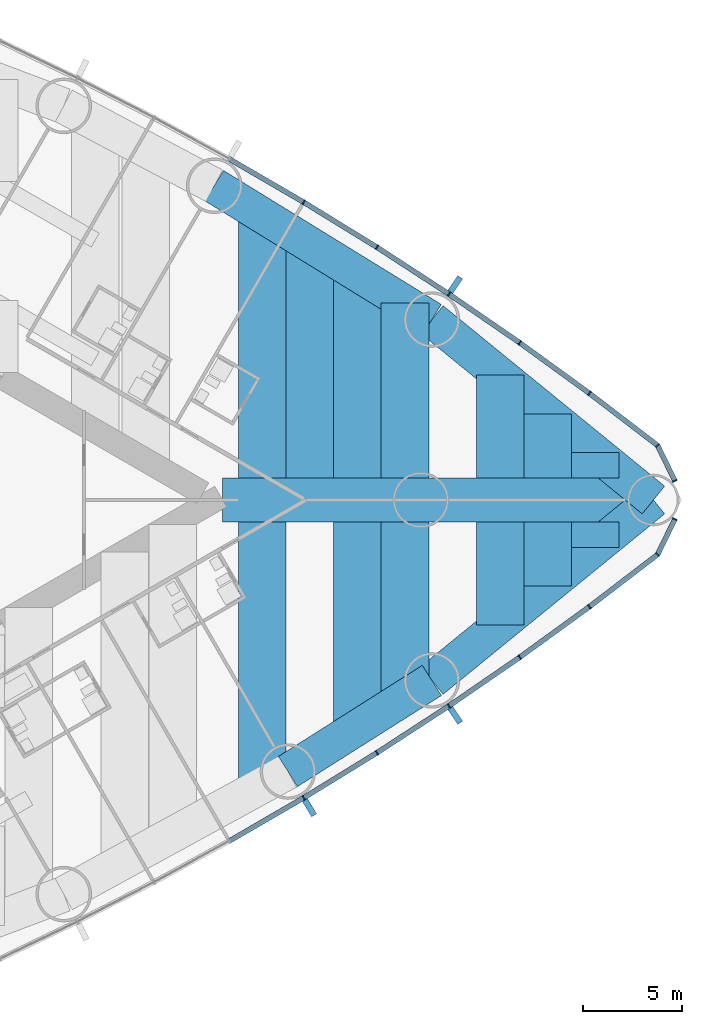
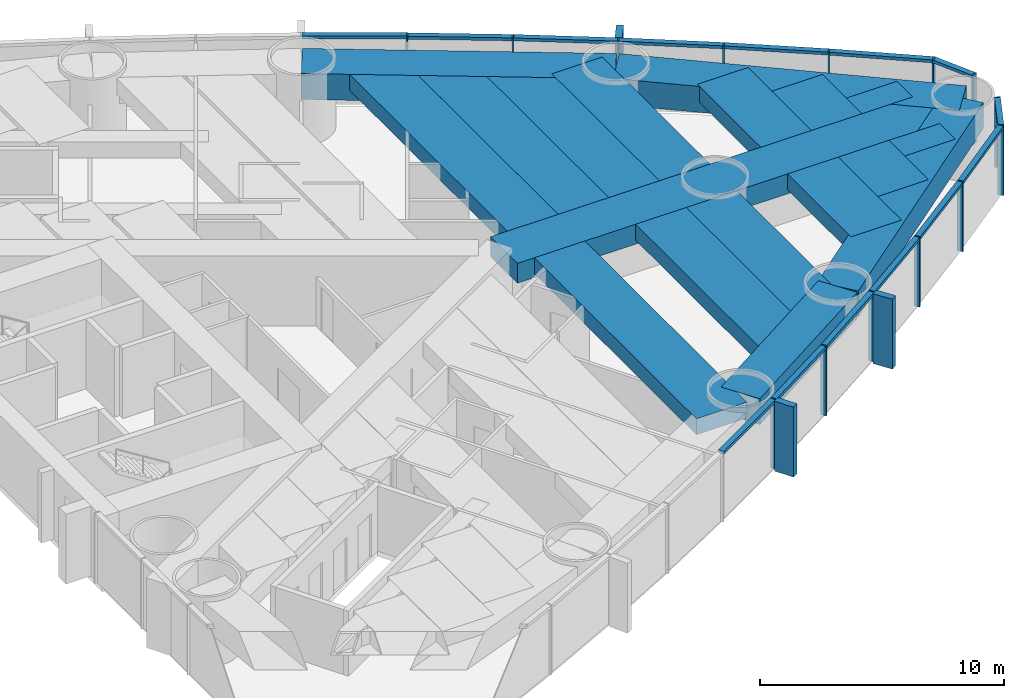
# One storey, part 8 of 19: 31 members, 18 beams, 2 elements without a shape of their own.
"""IFC4 building model written with IfcOpenShell, lengths in metres."""

import ifcopenshell
import ifcopenshell.guid

model = None  # the IFC model being written
_history = None  # IfcOwnerHistory: only IFC2X3 demands one
_inside = {}  # id of a spatial element -> (the spatial element, [elements in it])
_under = {}  # id of a project, library or spatial element -> (it, [spatial elements below it])
_declared = {}  # id of a project -> (the project, [libraries it declares])
_typed = {}  # id of a type object -> (the type object, [elements of that type])
_made_of = {}  # id of a material, layer set ... -> (it, [elements and type objects made of it])


def new_model(schema):
    """Start an empty IFC model of exactly this schema.

    Asked for "IFC4X3", IfcOpenShell would pick the latest addendum, in which some entities
    have other attributes; the version numbers below select the first issue.
    IFC2X3 requires an IfcOwnerHistory on every rooted entity: one is made here for all.
    """
    global model, _history
    if schema == "IFC4X3":
        model = ifcopenshell.file(schema_version=(4, 3, 0, 0))
    else:
        model = ifcopenshell.file(schema=schema)
    _inside.clear()
    _under.clear()
    _declared.clear()
    _typed.clear()
    _made_of.clear()
    _history = None
    if model.schema == "IFC2X3":
        org = make("IfcOrganization", Name="unknown")
        user = make(
            "IfcPersonAndOrganization",
            ThePerson=make("IfcPerson", FamilyName="unknown"),
            TheOrganization=org,
        )
        app = make(
            "IfcApplication",
            ApplicationDeveloper=org,
            Version="unknown",
            ApplicationFullName="unknown",
            ApplicationIdentifier="unknown",
        )
        _history = make(
            "IfcOwnerHistory",
            OwningUser=user,
            OwningApplication=app,
            ChangeAction="ADDED",
            CreationDate=0,
        )
    return model


def make(cls, **values):
    """One entity of the class cls with the attributes given. An attribute that is None is left unset."""
    return model.create_entity(
        cls, **{name: value for name, value in values.items() if value is not None}
    )


def rooted(cls, **values):
    """An entity with a GlobalId (a new one), such as an element, a storey or a relation."""
    return make(cls, GlobalId=ifcopenshell.guid.new(), OwnerHistory=_history, **values)


def si_unit(unit_type, name, prefix=None):
    """IfcSIUnit, for example si_unit("LENGTHUNIT", "METRE", prefix="MILLI")."""
    return make("IfcSIUnit", UnitType=unit_type, Prefix=prefix, Name=name)


def assignment(units):
    """IfcUnitAssignment: the units of a project."""
    return None if units is None else make("IfcUnitAssignment", Units=units)


def point(xyz):
    """IfcCartesianPoint."""
    return None if xyz is None else make("IfcCartesianPoint", Coordinates=xyz)


def direction(xyz):
    """IfcDirection."""
    return None if xyz is None else make("IfcDirection", DirectionRatios=xyz)


def frame(location, z_axis=None, x_axis=None):
    """IfcAxis2Placement3D, a coordinate frame: its origin and axes. An axis left out is left unset."""
    return make(
        "IfcAxis2Placement3D",
        Location=point(location),
        Axis=direction(z_axis),
        RefDirection=direction(x_axis),
    )


def frame_2d(location, x_axis=None):
    """IfcAxis2Placement2D, a coordinate frame in the plane: its origin and x axis."""
    return make(
        "IfcAxis2Placement2D", Location=point(location), RefDirection=direction(x_axis)
    )


def origin():
    """The frame at (0, 0, 0) with its axes left unset."""
    return frame((0.0, 0.0, 0.0))


def origin_2d():
    """The frame at (0, 0) in the plane with its x axis left unset."""
    return frame_2d((0.0, 0.0))


def place(relative_to, where):
    """IfcLocalPlacement: puts the frame where relative to a parent placement (None: the world)."""
    return make(
        "IfcLocalPlacement", PlacementRelTo=relative_to, RelativePlacement=where
    )


def context(
    kind, dimensions, precision=None, world=None, true_north=None, identifier=None
):
    """IfcGeometricRepresentationContext, for example the 3D "Model" context."""
    return make(
        "IfcGeometricRepresentationContext",
        ContextIdentifier=identifier,
        ContextType=kind,
        CoordinateSpaceDimension=dimensions,
        Precision=precision,
        WorldCoordinateSystem=world,
        TrueNorth=true_north,
    )


def subcontext(parent, identifier, kind, view, scale=None):
    """IfcGeometricRepresentationSubContext, for example "Body" below "Model"."""
    return make(
        "IfcGeometricRepresentationSubContext",
        ContextIdentifier=identifier,
        ContextType=kind,
        ParentContext=parent,
        TargetScale=scale,
        TargetView=view,
    )


def project(units=None, contexts=None):
    """IfcProject with its units and contexts."""
    return rooted(
        "IfcProject",
        Name="project",
        RepresentationContexts=contexts,
        UnitsInContext=assignment(units),
    )


def spatial(cls, under=None, at=None, **own):
    """A site, building, storey or space (cls), placed at a placement, below another one or the project."""
    s = rooted(cls, ObjectPlacement=at, **own)
    if under is not None:
        _under.setdefault(under.id(), (under, []))[1].append(s)
    return s


def profile(cls, at=None, kind="AREA", **sizes):
    """A parametric profile (cls). Its sizes go by their IFC names, for example OverallWidth=200.0."""
    return make(cls, ProfileType=kind, Position=at, **sizes)


def rectangle(**sizes):
    """IfcRectangleProfileDef."""
    return profile("IfcRectangleProfileDef", **sizes)


def extrude(swept, where, along, depth):
    """IfcExtrudedAreaSolid: the profile swept, set in the frame where, extruded along a direction by depth."""
    return make(
        "IfcExtrudedAreaSolid",
        SweptArea=swept,
        Position=where,
        ExtrudedDirection=direction(along),
        Depth=depth,
    )


def shape(context_of_items, identifier, shape_type, items):
    """IfcShapeRepresentation: the items that make up one representation, for example the "Body"."""
    return make(
        "IfcShapeRepresentation",
        ContextOfItems=context_of_items,
        RepresentationIdentifier=identifier,
        RepresentationType=shape_type,
        Items=items,
    )


def material(Name=None, Category=None):
    """IfcMaterial."""
    return make("IfcMaterial", Name=Name, Category=Category)


def material_profile(
    of_material, cross_section, Name=None, Category=None, Priority=None
):
    """IfcMaterialProfile: a cross section and its material."""
    return make(
        "IfcMaterialProfile",
        Name=Name,
        Material=of_material,
        Profile=cross_section,
        Priority=Priority,
        Category=Category,
    )


def profile_set(profiles, Name=None, composite=None):
    """IfcMaterialProfileSet."""
    return make(
        "IfcMaterialProfileSet",
        Name=Name,
        MaterialProfiles=profiles,
        CompositeProfile=composite,
    )


def made_of(thing, what):
    """Note that an element or type object is made of a material, layer set ...; save() writes the relation."""
    if what is not None:
        _made_of.setdefault(what.id(), (what, []))[1].append(thing)
    return thing


def type_object(cls, material=None, **own):
    """A type object (cls), such as IfcWallType, which elements share."""
    return made_of(rooted(cls, **own), material)


def element(
    cls,
    number,
    at=None,
    inside=None,
    cuts=None,
    type_object=None,
    material=None,
    context=None,
    identifier="Body",
    shape_type=None,
    held_by="IfcProductDefinitionShape",
    body=None,
    shapes=None,
    **own,
):
    """One element of the class cls, such as IfcWall. Its Tag is "e" and its number.

    at: its placement. inside: the storey or other place that contains it. cuts: it is an
    opening in that element (IfcRelVoidsElement). A single representation is given by context,
    identifier, shape_type and body (its items); several are given by shapes. held_by: the class
    of the entity that holds the representations. save() writes the other relations.
    """
    e = rooted(cls, Tag="e%d" % number, ObjectPlacement=at, **own)
    if body is not None:
        shapes = [shape(context, identifier, shape_type, body)]
    if shapes is not None:
        e.Representation = make(held_by, Representations=shapes)
    if inside is not None:
        _inside.setdefault(inside.id(), (inside, []))[1].append(e)
    if cuts is not None:
        rooted(
            "IfcRelVoidsElement", RelatingBuildingElement=cuts, RelatedOpeningElement=e
        )
    if type_object is not None:
        _typed.setdefault(type_object.id(), (type_object, []))[1].append(e)
    return made_of(e, material)


def aggregate(whole, parts):
    """IfcRelAggregates: a whole, such as a stair, and the parts it consists of."""
    return rooted("IfcRelAggregates", RelatingObject=whole, RelatedObjects=parts)


def save(model, path):
    """Write the relations noted so far, then the file.

    IfcRelAggregates (storeys below a building ...), IfcRelContainedInSpatialStructure (elements
    in a storey), IfcRelDefinesByType, IfcRelAssociatesMaterial and IfcRelDeclares: one each for
    every whole, place, type object, material and project.
    """
    for whole, parts in _under.values():
        aggregate(whole, parts)
    for where, things in _inside.values():
        rooted(
            "IfcRelContainedInSpatialStructure",
            RelatedElements=things,
            RelatingStructure=where,
        )
    for kind, things in _typed.values():
        rooted("IfcRelDefinesByType", RelatedObjects=things, RelatingType=kind)
    for what, things in _made_of.values():
        rooted("IfcRelAssociatesMaterial", RelatedObjects=things, RelatingMaterial=what)
    for by, libraries in _declared.values():
        rooted("IfcRelDeclares", RelatingContext=by, RelatedDefinitions=libraries)
    model.write(path)


model = new_model("IFC4")

# Units and contexts
model_context = context("Model", 3, precision=1e-05, world=origin(), true_north=direction((0.0, 1.0)))
body_context = subcontext(model_context, "Body", "Model", "MODEL_VIEW")
ifc_project = project(units=[si_unit("LENGTHUNIT", "METRE"), si_unit("AREAUNIT", "SQUARE_METRE"), si_unit("VOLUMEUNIT", "CUBIC_METRE"), si_unit("PLANEANGLEUNIT", "RADIAN"), si_unit("MASSUNIT", "GRAM", prefix="KILO")], contexts=[model_context])

# Site, building, storey
site_placement = place(None, origin())
site = spatial("IfcSite", under=ifc_project, at=site_placement, CompositionType="ELEMENT")
building_placement = place(site_placement, origin())
building = spatial("IfcBuilding", under=site, at=building_placement, Name="Lancet Gate Hotel", CompositionType="ELEMENT")
storey_placement = place(building_placement, frame((0.0, 0.0, 35.5)))
storey = spatial("IfcBuildingStorey", under=building, at=storey_placement, Name="L08", CompositionType="ELEMENT", Elevation=35.5)

# Curtain wall, members
ifc_material_1 = material(Name="Aluminium curtain wall", Category="aluminium")
curtain_wall_type = type_object("IfcCurtainWallType", Name="Tower unitised curtain wall", PredefinedType="USERDEFINED", material=ifc_material_1)
curtain_wall_1_placement = place(storey_placement, origin())
curtain_wall_1 = element("IfcCurtainWall", 1, at=curtain_wall_1_placement, inside=storey, type_object=curtain_wall_type, Name="T2 L08 curtain wall 2", ObjectType="UNITISED CURTAIN WALL", PredefinedType="USERDEFINED")
ifc_material_2 = material(Name="Aluminium mullion", Category="aluminium")
ifc_material_profile_1 = material_profile(ifc_material_2, rectangle(XDim=0.06494140625, YDim=0.25, at=origin_2d()), Name="MULLION 65x250")
ifc_profile_set_1 = profile_set([ifc_material_profile_1], Name="Aluminium mullion")
member_type_1 = type_object("IfcMemberType", Name="Aluminium mullion 65x250", PredefinedType="MULLION", material=ifc_profile_set_1)
member_1_placement = place(storey_placement, frame((55.590087890625, -15.03125, 0.0), z_axis=(0.0, 0.0, 1.0), x_axis=(0.858413008828, 0.512959166284, 0.0)))
member_1 = element("IfcMember", 2, at=member_1_placement, type_object=member_type_1, Name="T2 L08 curtain wall 2 mullion 8", PredefinedType="MULLION", context=body_context, shape_type="SweptSolid", body=[
    extrude(rectangle(XDim=0.06494140625, YDim=0.25, at=origin_2d()), origin(), (0.0, 0.0, 1.0), 3.5),
])
member_2_placement = place(storey_placement, frame((59.28515625, -12.7587890625, 0.0), z_axis=(0.0, 0.0, 1.0), x_axis=(0.845079420983, 0.534640788035, 0.0)))
member_2 = element("IfcMember", 3, at=member_2_placement, type_object=member_type_1, Name="T2 L08 curtain wall 2 mullion 9", PredefinedType="MULLION", context=body_context, shape_type="SweptSolid", body=[
    extrude(rectangle(XDim=0.06494140625, YDim=0.25, at=origin_2d()), origin(), (0.0, 0.0, 1.0), 3.5),
])
member_3_placement = place(storey_placement, frame((62.921142578125, -10.393310546875, 0.0), z_axis=(0.0, 0.0, 1.0), x_axis=(0.831198325377, 0.555976028162, 0.0)))
member_3 = element("IfcMember", 4, at=member_3_placement, type_object=member_type_1, Name="T2 L08 curtain wall 2 mullion 10", PredefinedType="MULLION", context=body_context, shape_type="SweptSolid", body=[
    extrude(rectangle(XDim=0.06494140625, YDim=0.25, at=origin_2d()), origin(), (0.0, 0.0, 1.0), 3.5),
])
member_4_placement = place(storey_placement, frame((66.49560546875, -7.935791015625, 0.0), z_axis=(0.0, 0.0, 1.0), x_axis=(0.816778715254, 0.576951064049, 0.0)))
member_4 = element("IfcMember", 5, at=member_4_placement, type_object=member_type_1, Name="T2 L08 curtain wall 2 mullion 11", PredefinedType="MULLION", context=body_context, shape_type="SweptSolid", body=[
    extrude(rectangle(XDim=0.06494140625, YDim=0.25, at=origin_2d()), origin(), (0.0, 0.0, 1.0), 3.5),
])
member_5_placement = place(storey_placement, frame((70.00634765625, -5.388427734375, 0.0), z_axis=(0.0, 0.0, 1.0), x_axis=(0.801829932754, 0.597552306447, 0.0)))
member_5 = element("IfcMember", 6, at=member_5_placement, type_object=member_type_1, Name="T2 L08 curtain wall 2 mullion 12", PredefinedType="MULLION", context=body_context, shape_type="SweptSolid", body=[
    extrude(rectangle(XDim=0.06494140625, YDim=0.25, at=origin_2d()), origin(), (0.0, 0.0, 1.0), 3.5),
])
member_6_placement = place(storey_placement, frame((73.451416015625, -2.752197265625, 0.0), z_axis=(0.0, 0.0, 1.0), x_axis=(0.697983022443, 0.716114306784, 0.0)))
member_6 = element("IfcMember", 7, at=member_6_placement, type_object=member_type_1, Name="T2 L08 curtain wall 2 mullion 13", PredefinedType="MULLION", context=body_context, shape_type="SweptSolid", body=[
    extrude(rectangle(XDim=0.06494140625, YDim=0.25, at=origin_2d()), origin(), (0.0, 0.0, 1.0), 3.5),
])
member_7_placement = place(storey_placement, frame((74.322265625, -0.96044921875, 0.0), z_axis=(0.0, 0.0, 1.0), x_axis=(0.437169070119, 0.899379343843, 0.0)))
member_7 = element("IfcMember", 8, at=member_7_placement, type_object=member_type_1, Name="T2 L08 curtain wall 2 mullion 14", PredefinedType="MULLION", context=body_context, shape_type="SweptSolid", body=[
    extrude(rectangle(XDim=0.06494140625, YDim=0.25, at=origin_2d()), origin(), (0.0, 0.0, 1.0), 3.5),
])

curtain_wall_2_placement = place(storey_placement, origin())
curtain_wall_2 = element("IfcCurtainWall", 9, at=curtain_wall_2_placement, inside=storey, type_object=curtain_wall_type, Name="T2 L08 curtain wall 3", ObjectType="UNITISED CURTAIN WALL", PredefinedType="USERDEFINED")
member_8_placement = place(storey_placement, frame((74.322265625, 0.96044921875, 0.0), z_axis=(0.0, 0.0, 1.0), x_axis=(-0.437169070119, 0.899379343843, 0.0)))
member_8 = element("IfcMember", 10, at=member_8_placement, type_object=member_type_1, Name="T2 L08 curtain wall 3 mullion 1", PredefinedType="MULLION", context=body_context, shape_type="SweptSolid", body=[
    extrude(rectangle(XDim=0.06494140625, YDim=0.25, at=origin_2d()), origin(), (0.0, 0.0, 1.0), 3.5),
])
member_9_placement = place(storey_placement, frame((73.451416015625, 2.752197265625, 0.0), z_axis=(0.0, 0.0, 1.0), x_axis=(-0.697983022443, 0.716114306784, 0.0)))
member_9 = element("IfcMember", 11, at=member_9_placement, type_object=member_type_1, Name="T2 L08 curtain wall 3 mullion 2", PredefinedType="MULLION", context=body_context, shape_type="SweptSolid", body=[
    extrude(rectangle(XDim=0.06494140625, YDim=0.25, at=origin_2d()), origin(), (0.0, 0.0, 1.0), 3.5),
])
member_10_placement = place(storey_placement, frame((70.00634765625, 5.388427734375, 0.0), z_axis=(0.0, 0.0, 1.0), x_axis=(-0.801829932754, 0.597552306447, 0.0)))
member_10 = element("IfcMember", 12, at=member_10_placement, type_object=member_type_1, Name="T2 L08 curtain wall 3 mullion 3", PredefinedType="MULLION", context=body_context, shape_type="SweptSolid", body=[
    extrude(rectangle(XDim=0.06494140625, YDim=0.25, at=origin_2d()), origin(), (0.0, 0.0, 1.0), 3.5),
])
member_11_placement = place(storey_placement, frame((66.49560546875, 7.935791015625, 0.0), z_axis=(0.0, 0.0, 1.0), x_axis=(-0.816778715254, 0.576951064049, 0.0)))
member_11 = element("IfcMember", 13, at=member_11_placement, type_object=member_type_1, Name="T2 L08 curtain wall 3 mullion 4", PredefinedType="MULLION", context=body_context, shape_type="SweptSolid", body=[
    extrude(rectangle(XDim=0.06494140625, YDim=0.25, at=origin_2d()), origin(), (0.0, 0.0, 1.0), 3.5),
])
member_12_placement = place(storey_placement, frame((62.921142578125, 10.393310546875, 0.0), z_axis=(0.0, 0.0, 1.0), x_axis=(-0.831198325377, 0.555976028162, 0.0)))
member_12 = element("IfcMember", 14, at=member_12_placement, type_object=member_type_1, Name="T2 L08 curtain wall 3 mullion 5", PredefinedType="MULLION", context=body_context, shape_type="SweptSolid", body=[
    extrude(rectangle(XDim=0.06494140625, YDim=0.25, at=origin_2d()), origin(), (0.0, 0.0, 1.0), 3.5),
])
member_13_placement = place(storey_placement, frame((59.28515625, 12.7587890625, 0.0), z_axis=(0.0, 0.0, 1.0), x_axis=(-0.845079420983, 0.534640788035, 0.0)))
member_13 = element("IfcMember", 15, at=member_13_placement, type_object=member_type_1, Name="T2 L08 curtain wall 3 mullion 6", PredefinedType="MULLION", context=body_context, shape_type="SweptSolid", body=[
    extrude(rectangle(XDim=0.06494140625, YDim=0.25, at=origin_2d()), origin(), (0.0, 0.0, 1.0), 3.5),
])
member_14_placement = place(storey_placement, frame((55.590087890625, 15.03125, 0.0), z_axis=(0.0, 0.0, 1.0), x_axis=(-0.858413008828, 0.512959166284, 0.0)))
member_14 = element("IfcMember", 16, at=member_14_placement, type_object=member_type_1, Name="T2 L08 curtain wall 3 mullion 7", PredefinedType="MULLION", context=body_context, shape_type="SweptSolid", body=[
    extrude(rectangle(XDim=0.06494140625, YDim=0.25, at=origin_2d()), origin(), (0.0, 0.0, 1.0), 3.5),
])

# Member
ifc_material_3 = material(Name="Aluminium transom", Category="aluminium")
ifc_material_profile_2 = material_profile(ifc_material_3, rectangle(XDim=0.25, YDim=0.14990234375, at=origin_2d()), Name="TRANSOM 250x150")
ifc_profile_set_2 = profile_set([ifc_material_profile_2], Name="Aluminium transom")
member_type_2 = type_object("IfcMemberType", Name="Aluminium transom 250x150", PredefinedType="USERDEFINED", material=ifc_profile_set_2)
member_15_placement = place(storey_placement, frame((51.86669921875, -17.1923828125, 3.425048828125), z_axis=(0.864854571156, 0.502022480324, 0.0), x_axis=(-0.502022480324, 0.864854571156, 0.0)))
member_15 = element("IfcMember", 17, at=member_15_placement, type_object=member_type_2, Name="T2 L08 curtain wall 2 transom 7", ObjectType="TRANSOM", PredefinedType="USERDEFINED", context=body_context, shape_type="SweptSolid", body=[
    extrude(rectangle(XDim=0.25, YDim=0.14990234375, at=origin_2d()), origin(), (0.0, 0.0, 1.0), 4.272705078125),
])

member_16_placement = place(storey_placement, frame((55.617919921875, -15.01416015625, 3.425048828125), z_axis=(0.851815224451, 0.523842365023, 0.0), x_axis=(-0.523842365023, 0.851815224451, 0.0)))
member_16 = element("IfcMember", 18, at=member_16_placement, type_object=member_type_2, Name="T2 L08 curtain wall 2 transom 8", ObjectType="TRANSOM", PredefinedType="USERDEFINED", context=body_context, shape_type="SweptSolid", body=[
    extrude(rectangle(XDim=0.25, YDim=0.14990234375, at=origin_2d()), origin(), (0.0, 0.0, 1.0), 4.272705078125),
])

member_17_placement = place(storey_placement, frame((59.3125, -12.7412109375, 3.425048828125), z_axis=(0.83817850664, 0.545395994674, 0.0), x_axis=(-0.545395994674, 0.83817850664, 0.0)))
member_17 = element("IfcMember", 19, at=member_17_placement, type_object=member_type_2, Name="T2 L08 curtain wall 2 transom 9", ObjectType="TRANSOM", PredefinedType="USERDEFINED", context=body_context, shape_type="SweptSolid", body=[
    extrude(rectangle(XDim=0.25, YDim=0.14990234375, at=origin_2d()), origin(), (0.0, 0.0, 1.0), 4.272705078125),
])

member_18_placement = place(storey_placement, frame((62.94775390625, -10.374755859375, 3.425048828125), z_axis=(0.824071932869, 0.566485171437, 0.0), x_axis=(-0.566485171437, 0.824071932869, 0.0)))
member_18 = element("IfcMember", 20, at=member_18_placement, type_object=member_type_2, Name="T2 L08 curtain wall 2 transom 10", ObjectType="TRANSOM", PredefinedType="USERDEFINED", context=body_context, shape_type="SweptSolid", body=[
    extrude(rectangle(XDim=0.25, YDim=0.14990234375, at=origin_2d()), origin(), (0.0, 0.0, 1.0), 4.272705078125),
])

member_19_placement = place(storey_placement, frame((66.52197265625, -7.916748046875, 3.425048828125), z_axis=(0.809382971085, 0.587281198505, 0.0), x_axis=(-0.587281198505, 0.809382971085, 0.0)))
member_19 = element("IfcMember", 21, at=member_19_placement, type_object=member_type_2, Name="T2 L08 curtain wall 2 transom 11", ObjectType="TRANSOM", PredefinedType="USERDEFINED", context=body_context, shape_type="SweptSolid", body=[
    extrude(rectangle(XDim=0.25, YDim=0.14990234375, at=origin_2d()), origin(), (0.0, 0.0, 1.0), 4.272705078125),
])

member_20_placement = place(storey_placement, frame((70.0322265625, -5.36865234375, 3.425048828125), z_axis=(0.794155062652, 0.607715177089, 0.0), x_axis=(-0.607715177089, 0.794155062652, 0.0)))
member_20 = element("IfcMember", 22, at=member_20_placement, type_object=member_type_2, Name="T2 L08 curtain wall 2 transom 12", ObjectType="TRANSOM", PredefinedType="USERDEFINED", context=body_context, shape_type="SweptSolid", body=[
    extrude(rectangle(XDim=0.25, YDim=0.14990234375, at=origin_2d()), origin(), (0.0, 0.0, 1.0), 4.27294921875),
])

member_21_placement = place(storey_placement, frame((73.465576171875, -2.72314453125, 3.425048828125), z_axis=(0.437103060611, 0.899411426659, 0.0), x_axis=(-0.899411426659, 0.437103060611, 0.0)))
member_21 = element("IfcMember", 23, at=member_21_placement, type_object=member_type_2, Name="T2 L08 curtain wall 2 transom 13", ObjectType="TRANSOM", PredefinedType="USERDEFINED", context=body_context, shape_type="SweptSolid", body=[
    extrude(rectangle(XDim=0.25, YDim=0.14990234375, at=origin_2d()), origin(), (0.0, 0.0, 1.0), 1.927490234375),
])

member_22_placement = place(storey_placement, frame((74.30810546875, 0.989501953125, 3.425048828125), z_axis=(-0.437103060611, 0.899411426659, 0.0), x_axis=(-0.899411426659, -0.437103060611, 0.0)))
member_22 = element("IfcMember", 24, at=member_22_placement, type_object=member_type_2, Name="T2 L08 curtain wall 3 transom 1", ObjectType="TRANSOM", PredefinedType="USERDEFINED", context=body_context, shape_type="SweptSolid", body=[
    extrude(rectangle(XDim=0.25, YDim=0.14990234375, at=origin_2d()), origin(), (0.0, 0.0, 1.0), 1.927490234375),
])

member_23_placement = place(storey_placement, frame((73.425537109375, 2.77197265625, 3.425048828125), z_axis=(-0.794155062652, 0.607715177089, 0.0), x_axis=(-0.607715177089, -0.794155062652, 0.0)))
member_23 = element("IfcMember", 25, at=member_23_placement, type_object=member_type_2, Name="T2 L08 curtain wall 3 transom 2", ObjectType="TRANSOM", PredefinedType="USERDEFINED", context=body_context, shape_type="SweptSolid", body=[
    extrude(rectangle(XDim=0.25, YDim=0.14990234375, at=origin_2d()), origin(), (0.0, 0.0, 1.0), 4.27294921875),
])

member_24_placement = place(storey_placement, frame((69.980224609375, 5.407470703125, 3.425048828125), z_axis=(-0.809382971085, 0.587281198505, 0.0), x_axis=(-0.587281198505, -0.809382971085, 0.0)))
member_24 = element("IfcMember", 26, at=member_24_placement, type_object=member_type_2, Name="T2 L08 curtain wall 3 transom 3", ObjectType="TRANSOM", PredefinedType="USERDEFINED", context=body_context, shape_type="SweptSolid", body=[
    extrude(rectangle(XDim=0.25, YDim=0.14990234375, at=origin_2d()), origin(), (0.0, 0.0, 1.0), 4.272705078125),
])

member_25_placement = place(storey_placement, frame((66.46875, 7.954345703125, 3.425048828125), z_axis=(-0.824071932869, 0.566485171437, 0.0), x_axis=(-0.566485171437, -0.824071932869, 0.0)))
member_25 = element("IfcMember", 27, at=member_25_placement, type_object=member_type_2, Name="T2 L08 curtain wall 3 transom 4", ObjectType="TRANSOM", PredefinedType="USERDEFINED", context=body_context, shape_type="SweptSolid", body=[
    extrude(rectangle(XDim=0.25, YDim=0.14990234375, at=origin_2d()), origin(), (0.0, 0.0, 1.0), 4.272705078125),
])

member_26_placement = place(storey_placement, frame((62.893798828125, 10.410888671875, 3.425048828125), z_axis=(-0.83817850664, 0.545395994674, 0.0), x_axis=(-0.545395994674, -0.83817850664, 0.0)))
member_26 = element("IfcMember", 28, at=member_26_placement, type_object=member_type_2, Name="T2 L08 curtain wall 3 transom 5", ObjectType="TRANSOM", PredefinedType="USERDEFINED", context=body_context, shape_type="SweptSolid", body=[
    extrude(rectangle(XDim=0.25, YDim=0.14990234375, at=origin_2d()), origin(), (0.0, 0.0, 1.0), 4.272705078125),
])

member_27_placement = place(storey_placement, frame((59.257568359375, 12.77587890625, 3.425048828125), z_axis=(-0.851815224451, 0.523842365023, 0.0), x_axis=(-0.523842365023, -0.851815224451, 0.0)))
member_27 = element("IfcMember", 29, at=member_27_placement, type_object=member_type_2, Name="T2 L08 curtain wall 3 transom 6", ObjectType="TRANSOM", PredefinedType="USERDEFINED", context=body_context, shape_type="SweptSolid", body=[
    extrude(rectangle(XDim=0.25, YDim=0.14990234375, at=origin_2d()), origin(), (0.0, 0.0, 1.0), 4.272705078125),
])

member_28_placement = place(storey_placement, frame((55.56201171875, 15.04736328125, 3.425048828125), z_axis=(-0.864854571156, 0.502022480324, 0.0), x_axis=(-0.502022480324, -0.864854571156, 0.0)))
member_28 = element("IfcMember", 30, at=member_28_placement, type_object=member_type_2, Name="T2 L08 curtain wall 3 transom 7", ObjectType="TRANSOM", PredefinedType="USERDEFINED", context=body_context, shape_type="SweptSolid", body=[
    extrude(rectangle(XDim=0.25, YDim=0.14990234375, at=origin_2d()), origin(), (0.0, 0.0, 1.0), 4.272705078125),
])

# Beams
ifc_material_4 = material(Name="Concrete C50/60", Category="concrete")
ifc_material_profile_3 = material_profile(ifc_material_4, rectangle(XDim=1.800048828125, YDim=1.300048828125, at=origin_2d()), Name="RC 1800x1300")
ifc_profile_set_3 = profile_set([ifc_material_profile_3], Name="Concrete C50/60")
beam_type_1 = type_object("IfcBeamType", Name="Edge beam RC 1800x1300", PredefinedType="SPANDREL", material=ifc_profile_set_3)
beam_1_placement = place(storey_placement, frame((54.795166015625, -13.70068359375, 2.60009765625), z_axis=(0.845078312276, 0.534642540508, 0.0), x_axis=(-0.534642540508, 0.845078312276, 0.0)))
element("IfcBeam", 31, at=beam_1_placement, inside=storey, type_object=beam_type_1, Name="T2 edge beam EB1 L08", PredefinedType="SPANDREL", context=body_context, shape_type="SweptSolid", body=[
    extrude(rectangle(XDim=1.800048828125, YDim=1.300048828125, at=origin_2d()), origin(), (0.0, 0.0, 1.0), 8.595947265625),
])
for number, where, z_axis, x_axis, name in (
    (32, (62.059326171875, -9.10498046875, 2.60009765625), (0.775390970005, 0.631481467372, 0.0), (-0.631481467372, 0.775390970005, 0.0), "T2 edge beam EB1 L08"),
    (33, (73.2392578125, 0.0, 2.60009765625), (-0.775390970005, 0.631481467372, 0.0), (-0.631481467372, -0.775390970005, 0.0), "T2 edge beam EB1 L08"),
):
    element("IfcBeam", number, at=place(storey_placement, frame(where, z_axis=z_axis, x_axis=x_axis)), inside=storey, type_object=beam_type_1, Name=name, PredefinedType="SPANDREL", context=body_context, shape_type="SweptSolid", body=[
        extrude(rectangle(XDim=1.800048828125, YDim=1.300048828125, at=origin_2d()), origin(), (0.0, 0.0, 1.0), 14.41845703125),
    ])
beam_2_placement = place(storey_placement, frame((62.059326171875, 9.10498046875, 2.60009765625), z_axis=(-0.851815628025, 0.523841708775, 0.0), x_axis=(-0.523841708775, -0.851815628025, 0.0)))
element("IfcBeam", 34, at=beam_2_placement, inside=storey, type_object=beam_type_1, Name="T2 edge beam EB1 L08", PredefinedType="SPANDREL", context=body_context, shape_type="SweptSolid", body=[
    extrude(rectangle(XDim=1.800048828125, YDim=1.300048828125, at=origin_2d()), origin(), (0.0, 0.0, 1.0), 12.89208984375),
])

# Member
ifc_material_5 = material(Name="Precast concrete C50/60", Category="concrete")
ifc_material_profile_4 = material_profile(ifc_material_5, rectangle(XDim=0.300048828125, YDim=0.89990234375, at=origin_2d()), Name="FIN 300x900")
ifc_profile_set_4 = profile_set([ifc_material_profile_4], Name="Precast concrete C50/60")
member_type_3 = type_object("IfcMemberType", Name="Exposed concrete fin 300x900", PredefinedType="USERDEFINED", material=ifc_profile_set_4)
member_29_placement = place(storey_placement, frame((55.88525390625, -15.524658203125, 0.0), z_axis=(0.0, 0.0, 1.0), x_axis=(0.858413008828, 0.512959166284, 0.0)))
member_29 = element("IfcMember", 35, at=member_29_placement, type_object=member_type_3, Name="T2 L08 curtain wall 2 fin 8", ObjectType="FIN", PredefinedType="USERDEFINED", context=body_context, shape_type="SweptSolid", body=[
    extrude(rectangle(XDim=0.300048828125, YDim=0.89990234375, at=origin_2d()), origin(), (0.0, 0.0, 1.0), 3.5),
])

member_30_placement = place(storey_placement, frame((63.24072265625, -10.87109375, 0.0), z_axis=(0.0, 0.0, 1.0), x_axis=(0.831198325377, 0.555976028162, 0.0)))
member_30 = element("IfcMember", 36, at=member_30_placement, type_object=member_type_3, Name="T2 L08 curtain wall 2 fin 10", ObjectType="FIN", PredefinedType="USERDEFINED", context=body_context, shape_type="SweptSolid", body=[
    extrude(rectangle(XDim=0.300048828125, YDim=0.89990234375, at=origin_2d()), origin(), (0.0, 0.0, 1.0), 3.5),
])

aggregate(curtain_wall_1, [member_1, member_29, member_2, member_3, member_30, member_4, member_5, member_6, member_7, member_15, member_16, member_17, member_18, member_19, member_20, member_21])

member_31_placement = place(storey_placement, frame((63.24072265625, 10.87109375, 0.0), z_axis=(0.0, 0.0, 1.0), x_axis=(-0.831198325377, 0.555976028162, 0.0)))
member_31 = element("IfcMember", 37, at=member_31_placement, type_object=member_type_3, Name="T2 L08 curtain wall 3 fin 5", ObjectType="FIN", PredefinedType="USERDEFINED", context=body_context, shape_type="SweptSolid", body=[
    extrude(rectangle(XDim=0.300048828125, YDim=0.89990234375, at=origin_2d()), origin(), (0.0, 0.0, 1.0), 3.5),
])

aggregate(curtain_wall_2, [member_8, member_9, member_10, member_11, member_12, member_31, member_13, member_14, member_22, member_23, member_24, member_25, member_26, member_27, member_28])

# Beams
ifc_material_6 = material(Name="Concrete C50/60", Category="concrete")
ifc_material_profile_5 = material_profile(ifc_material_6, rectangle(XDim=2.39990234375, YDim=0.800048828125, at=origin_2d()), Name="RC 2400x800")
ifc_profile_set_5 = profile_set([ifc_material_profile_5], Name="Concrete C50/60")
beam_type_2 = type_object("IfcBeamType", Name="Floor beam RC 2400x800", PredefinedType="BEAM", material=ifc_profile_set_5)
beam_3_placement = place(storey_placement, frame((53.502197265625, -14.40771484375, 2.85009765625), z_axis=(0.0, 1.0, 0.0), x_axis=(-1.0, 0.0, 0.0)))
element("IfcBeam", 38, at=beam_3_placement, inside=storey, type_object=beam_type_2, Name="T2 floor beam F16S L08", PredefinedType="BEAM", context=body_context, shape_type="SweptSolid", body=[
    extrude(rectangle(XDim=2.39990234375, YDim=0.800048828125, at=origin_2d()), origin(), (0.0, 0.0, 1.0), 13.3076171875),
])
beam_4_placement = place(storey_placement, frame((53.502197265625, 1.10009765625, 2.85009765625), z_axis=(0.0, 1.0, 0.0), x_axis=(-1.0, 0.0, 0.0)))
element("IfcBeam", 39, at=beam_4_placement, inside=storey, type_object=beam_type_2, Name="T2 floor beam F17N L08", PredefinedType="BEAM", context=body_context, shape_type="SweptSolid", body=[
    extrude(rectangle(XDim=2.39990234375, YDim=0.800048828125, at=origin_2d()), origin(), (0.0, 0.0, 1.0), 13.26708984375),
])
beam_5_placement = place(storey_placement, frame((55.90234375, 1.10009765625, 2.85009765625), z_axis=(0.0, 1.0, 0.0), x_axis=(-1.0, 0.0, 0.0)))
element("IfcBeam", 40, at=beam_5_placement, inside=storey, type_object=beam_type_2, Name="T2 floor beam F18N L08", PredefinedType="BEAM", context=body_context, shape_type="SweptSolid", body=[
    extrude(rectangle(XDim=2.39990234375, YDim=0.800048828125, at=origin_2d()), origin(), (0.0, 0.0, 1.0), 11.791259765625),
])
beam_6_placement = place(storey_placement, frame((58.30224609375, -11.48193359375, 2.85009765625), z_axis=(0.0, 1.0, 0.0), x_axis=(-1.0, 0.0, 0.0)))
element("IfcBeam", 41, at=beam_6_placement, inside=storey, type_object=beam_type_2, Name="T2 floor beam F19S L08", PredefinedType="BEAM", context=body_context, shape_type="SweptSolid", body=[
    extrude(rectangle(XDim=2.39990234375, YDim=0.800048828125, at=origin_2d()), origin(), (0.0, 0.0, 1.0), 10.3818359375),
])
beam_7_placement = place(storey_placement, frame((58.30224609375, 1.10009765625, 2.85009765625), z_axis=(0.0, 1.0, 0.0), x_axis=(-1.0, 0.0, 0.0)))
element("IfcBeam", 42, at=beam_7_placement, inside=storey, type_object=beam_type_2, Name="T2 floor beam F20N L08", PredefinedType="BEAM", context=body_context, shape_type="SweptSolid", body=[
    extrude(rectangle(XDim=2.39990234375, YDim=0.800048828125, at=origin_2d()), origin(), (0.0, 0.0, 1.0), 10.3154296875),
])
beam_8_placement = place(storey_placement, frame((60.7021484375, -9.96337890625, 2.85009765625), z_axis=(0.0, 1.0, 0.0), x_axis=(-1.0, 0.0, 0.0)))
element("IfcBeam", 43, at=beam_8_placement, inside=storey, type_object=beam_type_2, Name="T2 floor beam F21S L08", PredefinedType="BEAM", context=body_context, shape_type="SweptSolid", body=[
    extrude(rectangle(XDim=2.39990234375, YDim=0.800048828125, at=origin_2d()), origin(), (0.0, 0.0, 1.0), 8.86328125),
])
beam_9_placement = place(storey_placement, frame((60.7021484375, 1.10009765625, 2.85009765625), z_axis=(0.0, 1.0, 0.0), x_axis=(-1.0, 0.0, 0.0)))
element("IfcBeam", 44, at=beam_9_placement, inside=storey, type_object=beam_type_2, Name="T2 floor beam F22N L08", PredefinedType="BEAM", context=body_context, shape_type="SweptSolid", body=[
    extrude(rectangle(XDim=2.39990234375, YDim=0.800048828125, at=origin_2d()), origin(), (0.0, 0.0, 1.0), 8.83935546875),
])
for number, where, z_axis, x_axis, name in (
    (45, (65.502197265625, -6.301025390625, 2.85009765625), (0.0, 1.0, 0.0), (-1.0, 0.0, 0.0), "T2 floor beam F23S L08"),
    (46, (65.502197265625, 1.10009765625, 2.85009765625), (0.0, 1.0, 0.0), (-1.0, 0.0, 0.0), "T2 floor beam F24N L08"),
):
    element("IfcBeam", number, at=place(storey_placement, frame(where, z_axis=z_axis, x_axis=x_axis)), inside=storey, type_object=beam_type_2, Name=name, PredefinedType="BEAM", context=body_context, shape_type="SweptSolid", body=[
        extrude(rectangle(XDim=2.39990234375, YDim=0.800048828125, at=origin_2d()), origin(), (0.0, 0.0, 1.0), 5.200927734375),
    ])
for number, where, z_axis, x_axis, name in (
    (47, (67.90234375, -4.346435546875, 2.85009765625), (0.0, 1.0, 0.0), (-1.0, 0.0, 0.0), "T2 floor beam F25S L08"),
    (48, (67.90234375, 1.10009765625, 2.85009765625), (0.0, 1.0, 0.0), (-1.0, 0.0, 0.0), "T2 floor beam F26N L08"),
):
    element("IfcBeam", number, at=place(storey_placement, frame(where, z_axis=z_axis, x_axis=x_axis)), inside=storey, type_object=beam_type_2, Name=name, PredefinedType="BEAM", context=body_context, shape_type="SweptSolid", body=[
        extrude(rectangle(XDim=2.39990234375, YDim=0.800048828125, at=origin_2d()), origin(), (0.0, 0.0, 1.0), 3.246337890625),
    ])
for number, where, z_axis, x_axis, name in (
    (49, (70.30224609375, -2.391845703125, 2.85009765625), (0.0, 1.0, 0.0), (-1.0, 0.0, 0.0), "T2 floor beam F27S L08"),
    (50, (70.30224609375, 1.10009765625, 2.85009765625), (0.0, 1.0, 0.0), (-1.0, 0.0, 0.0), "T2 floor beam F28N L08"),
):
    element("IfcBeam", number, at=place(storey_placement, frame(where, z_axis=z_axis, x_axis=x_axis)), inside=storey, type_object=beam_type_2, Name=name, PredefinedType="BEAM", context=body_context, shape_type="SweptSolid", body=[
        extrude(rectangle(XDim=2.39990234375, YDim=0.800048828125, at=origin_2d()), origin(), (0.0, 0.0, 1.0), 1.291748046875),
    ])
ifc_material_7 = material(Name="Concrete C50/60", Category="concrete")
ifc_material_profile_6 = material_profile(ifc_material_7, rectangle(XDim=2.199951171875, YDim=1.0, at=origin_2d()), Name="RC 2200x1000")
ifc_profile_set_6 = profile_set([ifc_material_profile_6], Name="Concrete C50/60")
beam_type_3 = type_object("IfcBeamType", Name="Radial floor beam RC 2200x1000", PredefinedType="BEAM", material=ifc_profile_set_6)
beam_10_placement = place(storey_placement, frame((73.2392578125, 0.0, 2.75), z_axis=(-1.0, 0.0, 0.0), x_axis=(0.0, -1.0, 0.0)))
element("IfcBeam", 51, at=beam_10_placement, inside=storey, type_object=beam_type_3, Name="T2 radial beam CA L08", PredefinedType="BEAM", context=body_context, shape_type="SweptSolid", body=[
    extrude(rectangle(XDim=2.199951171875, YDim=1.0, at=origin_2d()), origin(), (0.0, 0.0, 1.0), 21.737060546875),
])

save(model, "model.ifc")
